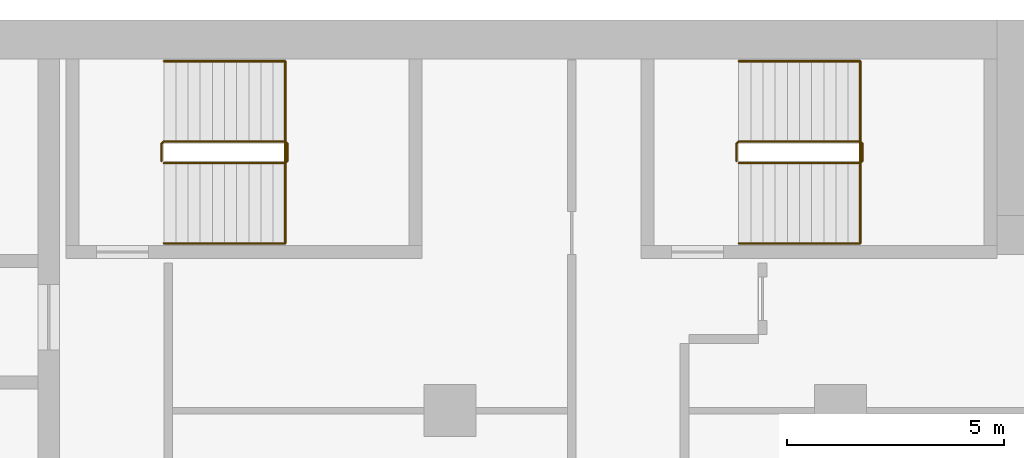
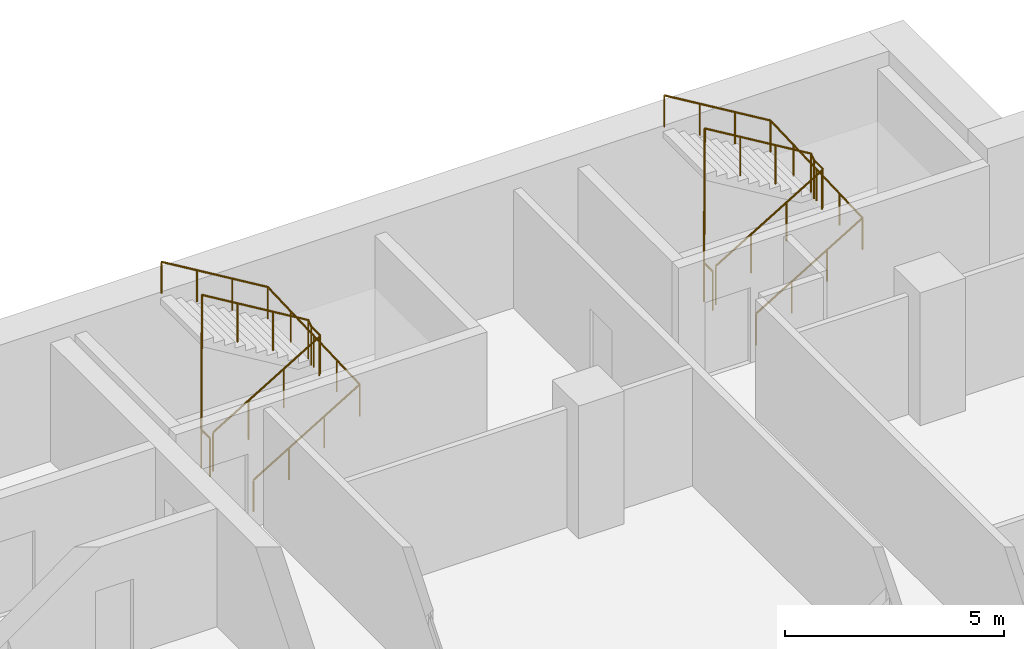
# One storey, part 22 of 22: 4 railings.
"""IFC4 building model written with IfcOpenShell, lengths in metres."""

from ifc_helpers import new_model, si_unit, direction, frame, origin, origin_2d, place, context, subcontext, project, spatial, circle, extrude, material, type_object, element, save


model = new_model("IFC4")

# Units and contexts
model_context = context("Model", 3, precision=1e-05, world=origin(), true_north=direction((0.0, 1.0)))
body_context = subcontext(model_context, "Body", "Model", "MODEL_VIEW")
ifc_project = project(units=[si_unit("LENGTHUNIT", "METRE"), si_unit("AREAUNIT", "SQUARE_METRE"), si_unit("VOLUMEUNIT", "CUBIC_METRE"), si_unit("PLANEANGLEUNIT", "RADIAN"), si_unit("MASSUNIT", "GRAM", prefix="KILO")], contexts=[model_context])

# Site, building, storey
site_placement = place(None, origin())
site = spatial("IfcSite", under=ifc_project, at=site_placement, CompositionType="ELEMENT")
building_placement = place(site_placement, origin())
building = spatial("IfcBuilding", under=site, at=building_placement, Name="Hunhe Ridgeline Campus", CompositionType="ELEMENT")
storey_placement = place(building_placement, frame((0.0, 0.0, 137.5)))
storey = spatial("IfcBuildingStorey", under=building, at=storey_placement, Name="L34", CompositionType="ELEMENT", Elevation=137.5)

# Railings
ifc_material_1 = material(Name="Stainless steel balustrade", Category="steel")
railing_type_1 = type_object("IfcRailingType", Name="Stair guard 1100 stainless", PredefinedType="GUARDRAIL", material=ifc_material_1)
railing_1_placement = place(storey_placement, frame((38.39990234375, 95.699951171875, 0.168212890625)))
element("IfcRailing", 1, at=railing_1_placement, inside=storey, type_object=railing_type_1, Name="L34 stair E1 guard", PredefinedType="GUARDRAIL", context=body_context, shape_type="SweptSolid", body=[
    extrude(circle(Radius=0.02392578125, at=origin_2d()), frame((0.0, 0.0, 1.076171875), z_axis=(0.857242210791, 0.0, 0.514913383045), x_axis=(0.0, 1.0, 0.0)), (0.0, 0.0, 1.0), 3.266357421875),
    extrude(circle(Radius=0.02392578125, at=origin_2d()), frame((2.800048828125, 0.0, 2.7578125), z_axis=(0.707106781187, 0.707106781187, 0.0), x_axis=(-0.707106781187, 0.707106781187, 0.0)), (0.0, 0.0, 1.0), 0.07080078125),
    extrude(circle(Radius=0.02392578125, at=origin_2d()), frame((2.85009765625, 0.050048828125, 2.7578125), z_axis=(0.0, 1.0, 0.0), x_axis=(-1.0, 0.0, 0.0)), (0.0, 0.0, 1.0), 0.39990234375),
    extrude(circle(Radius=0.02392578125, at=origin_2d()), frame((2.85009765625, 0.449951171875, 2.7578125), z_axis=(-0.274582412415, 0.274582412415, 0.921525364591), x_axis=(-0.707106781187, -0.707106781187, 0.0)), (0.0, 0.0, 1.0), 0.182373046875),
    extrude(circle(Radius=0.02392578125, at=origin_2d()), frame((2.800048828125, 0.5, 2.92578125), z_axis=(-0.857242210791, 0.0, 0.514913383045), x_axis=(0.0, -1.0, 0.0)), (0.0, 0.0, 1.0), 3.266357421875),
    extrude(circle(Radius=0.02392578125, at=origin_2d()), frame((0.0, 0.5, 4.60791015625), z_axis=(-0.013458453615, -0.013524426427, -0.999817963389), x_axis=(0.708833529934, -0.705375805398, 0.0)), (0.0, 0.0, 1.0), 3.70068359375),
    extrude(circle(Radius=0.02392578125, at=origin_2d()), frame((-0.0498046875, 0.449951171875, 0.90771484375), z_axis=(0.0, -1.0, 0.0), x_axis=(1.0, 0.0, 0.0)), (0.0, 0.0, 1.0), 0.39990234375),
    extrude(circle(Radius=0.02099609375, at=origin_2d()), origin(), (0.0, 0.0, 1.0), 1.052001953125),
    extrude(circle(Radius=0.02099609375, at=origin_2d()), frame((0.933349609375, 0.0, 0.560546875)), (0.0, 0.0, 1.0), 1.052001953125),
    extrude(circle(Radius=0.02099609375, at=origin_2d()), frame((1.86669921875, 0.0, 1.121337890625)), (0.0, 0.0, 1.0), 1.052001953125),
    extrude(circle(Radius=0.02099609375, at=origin_2d()), frame((2.800048828125, 0.0, 1.681884765625)), (0.0, 0.0, 1.0), 1.052001953125),
    extrude(circle(Radius=0.02099609375, at=origin_2d()), frame((2.85009765625, 0.050048828125, 1.681884765625)), (0.0, 0.0, 1.0), 1.052001953125),
    extrude(circle(Radius=0.02099609375, at=origin_2d()), frame((2.85009765625, 0.449951171875, 1.681884765625)), (0.0, 0.0, 1.0), 1.052001953125),
    extrude(circle(Radius=0.02099609375, at=origin_2d()), frame((2.800048828125, 0.5, 1.849853515625)), (0.0, 0.0, 1.0), 1.052001953125),
    extrude(circle(Radius=0.02099609375, at=origin_2d()), frame((1.86669921875, 0.5, 2.410400390625)), (0.0, 0.0, 1.0), 1.052001953125),
    extrude(circle(Radius=0.02099609375, at=origin_2d()), frame((0.933349609375, 0.5, 2.97119140625)), (0.0, 0.0, 1.0), 1.052001953125),
    extrude(circle(Radius=0.02099609375, at=origin_2d()), frame((0.0, 0.5, 3.53173828125)), (0.0, 0.0, 1.0), 1.052001953125),
    extrude(circle(Radius=0.02099609375, at=origin_2d()), frame((-0.012451171875, 0.487548828125, 2.606689453125)), (0.0, 0.0, 1.0), 1.052001953125),
    extrude(circle(Radius=0.02099609375, at=origin_2d()), frame((-0.02490234375, 0.47509765625, 1.681640625)), (0.0, 0.0, 1.0), 1.052001953125),
    extrude(circle(Radius=0.02099609375, at=origin_2d()), frame((-0.037353515625, 0.46240234375, 0.7568359375)), (0.0, 0.0, 1.0), 1.052001953125),
    extrude(circle(Radius=0.02099609375, at=origin_2d()), frame((-0.0498046875, 0.449951171875, -0.168212890625)), (0.0, 0.0, 1.0), 1.052001953125),
    extrude(circle(Radius=0.02099609375, at=origin_2d()), frame((-0.0498046875, 0.050048828125, -0.168212890625)), (0.0, 0.0, 1.0), 1.052001953125),
])
railing_2_placement = place(storey_placement, frame((51.64990234375, 95.699951171875, 0.168212890625)))
element("IfcRailing", 2, at=railing_2_placement, inside=storey, type_object=railing_type_1, Name="L34 stair E2 guard", PredefinedType="GUARDRAIL", context=body_context, shape_type="SweptSolid", body=[
    extrude(circle(Radius=0.02392578125, at=origin_2d()), frame((0.0, 0.0, 1.076171875), z_axis=(0.857242210791, 0.0, 0.514913383045), x_axis=(0.0, 1.0, 0.0)), (0.0, 0.0, 1.0), 3.266357421875),
    extrude(circle(Radius=0.02392578125, at=origin_2d()), frame((2.800048828125, 0.0, 2.7578125), z_axis=(0.707106781187, 0.707106781187, 0.0), x_axis=(-0.707106781187, 0.707106781187, 0.0)), (0.0, 0.0, 1.0), 0.07080078125),
    extrude(circle(Radius=0.02392578125, at=origin_2d()), frame((2.85009765625, 0.050048828125, 2.7578125), z_axis=(0.0, 1.0, 0.0), x_axis=(-1.0, 0.0, 0.0)), (0.0, 0.0, 1.0), 0.39990234375),
    extrude(circle(Radius=0.02392578125, at=origin_2d()), frame((2.85009765625, 0.449951171875, 2.7578125), z_axis=(-0.274582412415, 0.274582412415, 0.921525364591), x_axis=(-0.707106781187, -0.707106781187, 0.0)), (0.0, 0.0, 1.0), 0.182373046875),
    extrude(circle(Radius=0.02392578125, at=origin_2d()), frame((2.800048828125, 0.5, 2.92578125), z_axis=(-0.857242210791, 0.0, 0.514913383045), x_axis=(0.0, -1.0, 0.0)), (0.0, 0.0, 1.0), 3.266357421875),
    extrude(circle(Radius=0.02392578125, at=origin_2d()), frame((0.0, 0.5, 4.60791015625), z_axis=(-0.013458453615, -0.013524426427, -0.999817963389), x_axis=(0.708833529934, -0.705375805398, 0.0)), (0.0, 0.0, 1.0), 3.70068359375),
    extrude(circle(Radius=0.02392578125, at=origin_2d()), frame((-0.0498046875, 0.449951171875, 0.90771484375), z_axis=(0.0, -1.0, 0.0), x_axis=(1.0, 0.0, 0.0)), (0.0, 0.0, 1.0), 0.39990234375),
    extrude(circle(Radius=0.02099609375, at=origin_2d()), origin(), (0.0, 0.0, 1.0), 1.052001953125),
    extrude(circle(Radius=0.02099609375, at=origin_2d()), frame((0.933349609375, 0.0, 0.560546875)), (0.0, 0.0, 1.0), 1.052001953125),
    extrude(circle(Radius=0.02099609375, at=origin_2d()), frame((1.86669921875, 0.0, 1.121337890625)), (0.0, 0.0, 1.0), 1.052001953125),
    extrude(circle(Radius=0.02099609375, at=origin_2d()), frame((2.800048828125, 0.0, 1.681884765625)), (0.0, 0.0, 1.0), 1.052001953125),
    extrude(circle(Radius=0.02099609375, at=origin_2d()), frame((2.85009765625, 0.050048828125, 1.681884765625)), (0.0, 0.0, 1.0), 1.052001953125),
    extrude(circle(Radius=0.02099609375, at=origin_2d()), frame((2.85009765625, 0.449951171875, 1.681884765625)), (0.0, 0.0, 1.0), 1.052001953125),
    extrude(circle(Radius=0.02099609375, at=origin_2d()), frame((2.800048828125, 0.5, 1.849853515625)), (0.0, 0.0, 1.0), 1.052001953125),
    extrude(circle(Radius=0.02099609375, at=origin_2d()), frame((1.86669921875, 0.5, 2.410400390625)), (0.0, 0.0, 1.0), 1.052001953125),
    extrude(circle(Radius=0.02099609375, at=origin_2d()), frame((0.933349609375, 0.5, 2.97119140625)), (0.0, 0.0, 1.0), 1.052001953125),
    extrude(circle(Radius=0.02099609375, at=origin_2d()), frame((0.0, 0.5, 3.53173828125)), (0.0, 0.0, 1.0), 1.052001953125),
    extrude(circle(Radius=0.02099609375, at=origin_2d()), frame((-0.012451171875, 0.487548828125, 2.606689453125)), (0.0, 0.0, 1.0), 1.052001953125),
    extrude(circle(Radius=0.02099609375, at=origin_2d()), frame((-0.02490234375, 0.47509765625, 1.681640625)), (0.0, 0.0, 1.0), 1.052001953125),
    extrude(circle(Radius=0.02099609375, at=origin_2d()), frame((-0.037353515625, 0.46240234375, 0.7568359375)), (0.0, 0.0, 1.0), 1.052001953125),
    extrude(circle(Radius=0.02099609375, at=origin_2d()), frame((-0.0498046875, 0.449951171875, -0.168212890625)), (0.0, 0.0, 1.0), 1.052001953125),
    extrude(circle(Radius=0.02099609375, at=origin_2d()), frame((-0.0498046875, 0.050048828125, -0.168212890625)), (0.0, 0.0, 1.0), 1.052001953125),
])
ifc_material_2 = material(Name="Stainless steel handrail", Category="steel")
railing_type_2 = type_object("IfcRailingType", Name="Stair handrail 900 stainless", PredefinedType="HANDRAIL", material=ifc_material_2)
railing_3_placement = place(storey_placement, frame((38.39990234375, 93.85009765625, 0.168212890625)))
element("IfcRailing", 3, at=railing_3_placement, inside=storey, type_object=railing_type_2, Name="L34 stair E1 handrail", PredefinedType="HANDRAIL", context=body_context, shape_type="SweptSolid", body=[
    extrude(circle(Radius=0.02392578125, at=origin_2d()), frame((0.0, 0.0, 0.8759765625), z_axis=(0.857242210791, 0.0, 0.514913383045), x_axis=(0.0, 1.0, 0.0)), (0.0, 0.0, 1.0), 3.266357421875),
    extrude(circle(Radius=0.02392578125, at=origin_2d()), frame((2.800048828125, 0.0, 2.5576171875), z_axis=(0.0, 0.99920123705, 0.039961079526), x_axis=(-1.0, 0.0, 0.0)), (0.0, 0.0, 1.0), 4.203369140625),
    extrude(circle(Radius=0.02392578125, at=origin_2d()), frame((2.800048828125, 4.199951171875, 2.7255859375), z_axis=(-0.857242210791, 0.0, 0.514913383045), x_axis=(0.0, -1.0, 0.0)), (0.0, 0.0, 1.0), 3.266357421875),
    extrude(circle(Radius=0.02099609375, at=origin_2d()), origin(), (0.0, 0.0, 1.0), 0.851806640625),
    extrude(circle(Radius=0.02099609375, at=origin_2d()), frame((0.933349609375, 0.0, 0.560546875)), (0.0, 0.0, 1.0), 0.851806640625),
    extrude(circle(Radius=0.02099609375, at=origin_2d()), frame((1.86669921875, 0.0, 1.121337890625)), (0.0, 0.0, 1.0), 0.851806640625),
    extrude(circle(Radius=0.02099609375, at=origin_2d()), frame((2.800048828125, 0.0, 1.681884765625)), (0.0, 0.0, 1.0), 0.851806640625),
    extrude(circle(Radius=0.02099609375, at=origin_2d()), frame((2.800048828125, 1.050048828125, 1.723876953125)), (0.0, 0.0, 1.0), 0.851806640625),
    extrude(circle(Radius=0.02099609375, at=origin_2d()), frame((2.800048828125, 2.10009765625, 1.765869140625)), (0.0, 0.0, 1.0), 0.851806640625),
    extrude(circle(Radius=0.02099609375, at=origin_2d()), frame((2.800048828125, 3.14990234375, 1.807861328125)), (0.0, 0.0, 1.0), 0.851806640625),
    extrude(circle(Radius=0.02099609375, at=origin_2d()), frame((2.800048828125, 4.199951171875, 1.849853515625)), (0.0, 0.0, 1.0), 0.851806640625),
    extrude(circle(Radius=0.02099609375, at=origin_2d()), frame((1.86669921875, 4.199951171875, 2.410400390625)), (0.0, 0.0, 1.0), 0.851806640625),
    extrude(circle(Radius=0.02099609375, at=origin_2d()), frame((0.933349609375, 4.199951171875, 2.97119140625)), (0.0, 0.0, 1.0), 0.851806640625),
    extrude(circle(Radius=0.02099609375, at=origin_2d()), frame((0.0, 4.199951171875, 3.53173828125)), (0.0, 0.0, 1.0), 0.851806640625),
])
railing_4_placement = place(storey_placement, frame((51.64990234375, 93.85009765625, 0.168212890625)))
element("IfcRailing", 4, at=railing_4_placement, inside=storey, type_object=railing_type_2, Name="L34 stair E2 handrail", PredefinedType="HANDRAIL", context=body_context, shape_type="SweptSolid", body=[
    extrude(circle(Radius=0.02392578125, at=origin_2d()), frame((0.0, 0.0, 0.8759765625), z_axis=(0.857242210791, 0.0, 0.514913383045), x_axis=(0.0, 1.0, 0.0)), (0.0, 0.0, 1.0), 3.266357421875),
    extrude(circle(Radius=0.02392578125, at=origin_2d()), frame((2.800048828125, 0.0, 2.5576171875), z_axis=(0.0, 0.99920123705, 0.039961079526), x_axis=(-1.0, 0.0, 0.0)), (0.0, 0.0, 1.0), 4.203369140625),
    extrude(circle(Radius=0.02392578125, at=origin_2d()), frame((2.800048828125, 4.199951171875, 2.7255859375), z_axis=(-0.857242210791, 0.0, 0.514913383045), x_axis=(0.0, -1.0, 0.0)), (0.0, 0.0, 1.0), 3.266357421875),
    extrude(circle(Radius=0.02099609375, at=origin_2d()), origin(), (0.0, 0.0, 1.0), 0.851806640625),
    extrude(circle(Radius=0.02099609375, at=origin_2d()), frame((0.933349609375, 0.0, 0.560546875)), (0.0, 0.0, 1.0), 0.851806640625),
    extrude(circle(Radius=0.02099609375, at=origin_2d()), frame((1.86669921875, 0.0, 1.121337890625)), (0.0, 0.0, 1.0), 0.851806640625),
    extrude(circle(Radius=0.02099609375, at=origin_2d()), frame((2.800048828125, 0.0, 1.681884765625)), (0.0, 0.0, 1.0), 0.851806640625),
    extrude(circle(Radius=0.02099609375, at=origin_2d()), frame((2.800048828125, 1.050048828125, 1.723876953125)), (0.0, 0.0, 1.0), 0.851806640625),
    extrude(circle(Radius=0.02099609375, at=origin_2d()), frame((2.800048828125, 2.10009765625, 1.765869140625)), (0.0, 0.0, 1.0), 0.851806640625),
    extrude(circle(Radius=0.02099609375, at=origin_2d()), frame((2.800048828125, 3.14990234375, 1.807861328125)), (0.0, 0.0, 1.0), 0.851806640625),
    extrude(circle(Radius=0.02099609375, at=origin_2d()), frame((2.800048828125, 4.199951171875, 1.849853515625)), (0.0, 0.0, 1.0), 0.851806640625),
    extrude(circle(Radius=0.02099609375, at=origin_2d()), frame((1.86669921875, 4.199951171875, 2.410400390625)), (0.0, 0.0, 1.0), 0.851806640625),
    extrude(circle(Radius=0.02099609375, at=origin_2d()), frame((0.933349609375, 4.199951171875, 2.97119140625)), (0.0, 0.0, 1.0), 0.851806640625),
    extrude(circle(Radius=0.02099609375, at=origin_2d()), frame((0.0, 4.199951171875, 3.53173828125)), (0.0, 0.0, 1.0), 0.851806640625),
])

save(model, "model.ifc")
